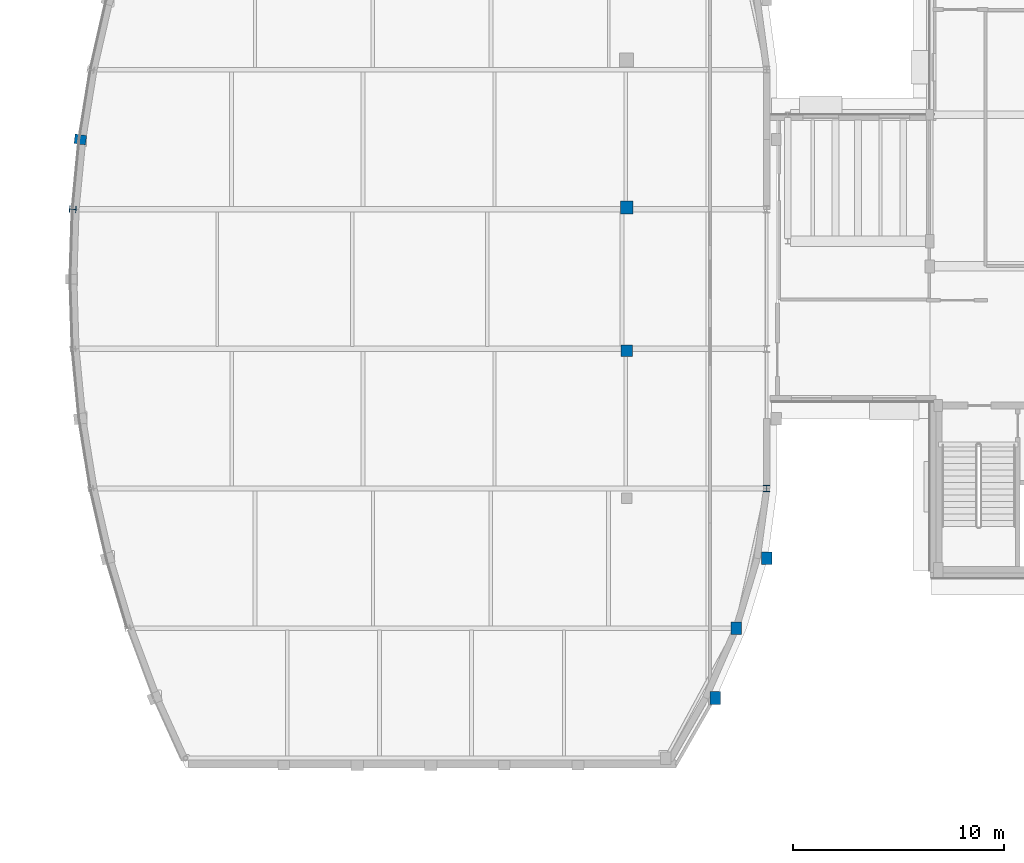
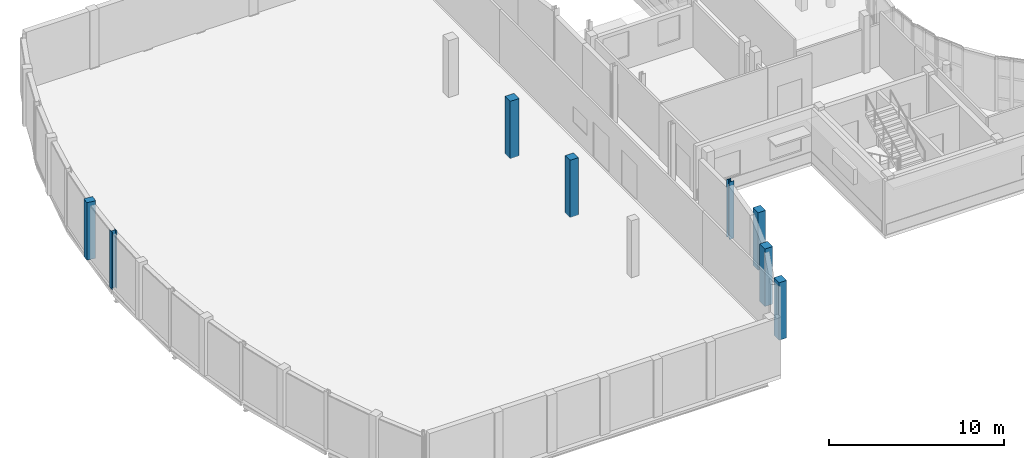
# One storey, part 4 of 105: 8 columns.
"""IFC4 building model written with IfcOpenShell, lengths in metres."""

from ifc_helpers import new_model, si_unit, direction, frame, origin, origin_2d, place, context, subcontext, project, spatial, rectangle, i_section, extrude, material, material_profile, profile_set, type_object, element, save


model = new_model("IFC4")

# Units and contexts
model_context = context("Model", 3, precision=1e-05, world=origin(), true_north=direction((0.0, 1.0)))
body_context = subcontext(model_context, "Body", "Model", "MODEL_VIEW")
ifc_project = project(units=[si_unit("LENGTHUNIT", "METRE"), si_unit("AREAUNIT", "SQUARE_METRE"), si_unit("VOLUMEUNIT", "CUBIC_METRE"), si_unit("PLANEANGLEUNIT", "RADIAN"), si_unit("MASSUNIT", "GRAM", prefix="KILO")], contexts=[model_context])

# Site, building, storey
site_placement = place(None, origin())
site = spatial("IfcSite", under=ifc_project, at=site_placement, CompositionType="ELEMENT")
building_placement = place(site_placement, origin())
building = spatial("IfcBuilding", under=site, at=building_placement, Name="Kelanivale Promenade Academy", CompositionType="ELEMENT")
storey_placement = place(building_placement, frame((0.0, 0.0, 4.199951171875)))
storey = spatial("IfcBuildingStorey", under=building, at=storey_placement, Name="L01", CompositionType="ELEMENT", Elevation=4.199951171875)

# Columns
ifc_material_1 = material(Name="Concrete C40/50", Category="concrete")
ifc_material_profile_1 = material_profile(ifc_material_1, rectangle(XDim=0.550048828125, YDim=0.550048828125, at=origin_2d()), Name="RC-COL 550x550")
ifc_profile_set_1 = profile_set([ifc_material_profile_1], Name="Concrete C40/50")
column_type_1 = type_object("IfcColumnType", Name="C-04 RC-COL 550x550", PredefinedType="COLUMN", material=ifc_profile_set_1)
column_1_placement = place(storey_placement, frame((28.800048828125, 52.800048828125, 0.0), z_axis=(0.0, 0.0, 1.0), x_axis=(1.0, 0.0, 0.0)))
element("IfcColumn", 1, at=column_1_placement, inside=storey, type_object=column_type_1, Name="Column C-04 at (28.8, 52.8) L01", PredefinedType="COLUMN", context=body_context, shape_type="SweptSolid", body=[
    extrude(rectangle(XDim=0.550048828125, YDim=0.550048828125, at=origin_2d()), origin(), (0.0, 0.0, 1.0), 4.0),
])
ifc_material_profile_2 = material_profile(ifc_material_1, rectangle(XDim=0.60009765625, YDim=0.60009765625, at=origin_2d()), Name="RC-COL 600x600")
ifc_profile_set_2 = profile_set([ifc_material_profile_2], Name="Concrete C40/50")
column_type_2 = type_object("IfcColumnType", Name="C-05 RC-COL 600x600", PredefinedType="COLUMN", material=ifc_profile_set_2)
column_2_placement = place(storey_placement, frame((28.800048828125, 59.60009765625, 0.0), z_axis=(0.0, 0.0, 1.0), x_axis=(1.0, 0.0, 0.0)))
element("IfcColumn", 2, at=column_2_placement, inside=storey, type_object=column_type_2, Name="Column C-05 at (28.8, 59.6) L01", PredefinedType="COLUMN", context=body_context, shape_type="SweptSolid", body=[
    extrude(rectangle(XDim=0.60009765625, YDim=0.60009765625, at=origin_2d()), origin(), (0.0, 0.0, 1.0), 4.0),
])
ifc_material_profile_3 = material_profile(ifc_material_1, rectangle(XDim=0.449951171875, YDim=0.550048828125, at=origin_2d()), Name="RC-PIL 450x550")
ifc_profile_set_3 = profile_set([ifc_material_profile_3], Name="Concrete C40/50")
column_type_3 = type_object("IfcColumnType", Name="PL-17 RC-PIL 450x550", PredefinedType="PILASTER", material=ifc_profile_set_3)
column_3_placement = place(storey_placement, frame((2.864013671875, 62.8291015625, 0.0), z_axis=(0.0, 0.0, 1.0), x_axis=(0.12741083733, 0.991850028246, 0.0)))
element("IfcColumn", 3, at=column_3_placement, inside=storey, type_object=column_type_3, Name="Column PL-17 at (2.9, 62.8) L01", PredefinedType="PILASTER", context=body_context, shape_type="SweptSolid", body=[
    extrude(rectangle(XDim=0.449951171875, YDim=0.550048828125, at=origin_2d()), origin(), (0.0, 0.0, 1.0), 4.0),
])
ifc_material_profile_4 = material_profile(ifc_material_1, rectangle(XDim=0.5, YDim=0.60009765625, at=origin_2d()), Name="RC-PIL 500x600")
ifc_profile_set_4 = profile_set([ifc_material_profile_4], Name="Concrete C40/50")
column_type_4 = type_object("IfcColumnType", Name="PL-18 RC-PIL 500x600", PredefinedType="PILASTER", material=ifc_profile_set_4)
for number, where, z_axis, x_axis, name in (
    (4, (33.010009765625, 36.31396484375, 0.0), (0.0, 0.0, 1.0), (1.0, 0.0, 0.0), "Column PL-18 at (33.0, 36.3) L01"),
    (5, (34.0, 39.62890625, 0.0), (0.0, 0.0, 1.0), (1.0, 0.0, 0.0), "Column PL-18 at (34.0, 39.6) L01"),
    (6, (35.4599609375, 42.943115234375, 0.0), (0.0, 0.0, 1.0), (1.0, 0.0, 0.0), "Column PL-18 at (35.5, 42.9) L01"),
):
    element("IfcColumn", number, at=place(storey_placement, frame(where, z_axis=z_axis, x_axis=x_axis)), inside=storey, type_object=column_type_4, Name=name, PredefinedType="PILASTER", context=body_context, shape_type="SweptSolid", body=[
        extrude(rectangle(XDim=0.5, YDim=0.60009765625, at=origin_2d()), origin(), (0.0, 0.0, 1.0), 4.0),
    ])
ifc_material_2 = material(Name="Steel S355", Category="steel")
ifc_material_profile_5 = material_profile(ifc_material_2, i_section(OverallWidth=0.307373046875, OverallDepth=0.314453125, WebThickness=0.011962890625, FlangeThickness=0.018798828125, FilletRadius=0.01513671875, at=origin_2d()), Name="UC 305x305x118")
ifc_profile_set_5 = profile_set([ifc_material_profile_5], Name="Steel S355")
column_type_5 = type_object("IfcColumnType", Name="SC-04 UC 305x305x118", PredefinedType="COLUMN", material=ifc_profile_set_5)
for number, where, z_axis, x_axis, name in (
    (7, (2.506103515625, 59.513916015625, 0.0), (0.0, 0.0, 1.0), (0.063661438132, 0.99797155335, 0.0), "Column SC-04 at (2.5, 59.5) L01"),
    (8, (35.449951171875, 46.257080078125, 0.0), (0.0, 0.0, 1.0), (1.0, 0.0, 0.0), "Column SC-04 at (35.5, 46.3) L01"),
):
    element("IfcColumn", number, at=place(storey_placement, frame(where, z_axis=z_axis, x_axis=x_axis)), inside=storey, type_object=column_type_5, Name=name, PredefinedType="COLUMN", context=body_context, shape_type="SweptSolid", body=[
        extrude(i_section(OverallWidth=0.307373046875, OverallDepth=0.314453125, WebThickness=0.011962890625, FlangeThickness=0.018798828125, FilletRadius=0.01513671875, at=origin_2d()), origin(), (0.0, 0.0, 1.0), 4.0),
    ])

save(model, "model.ifc")
